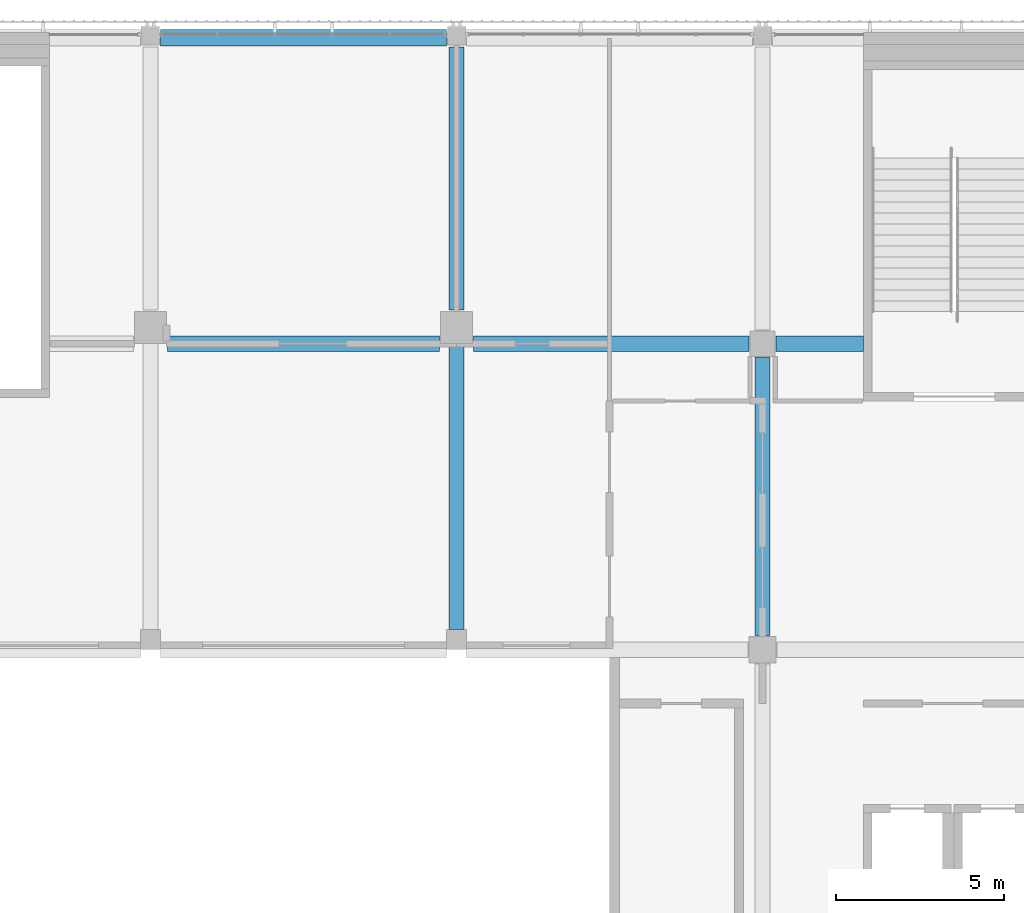
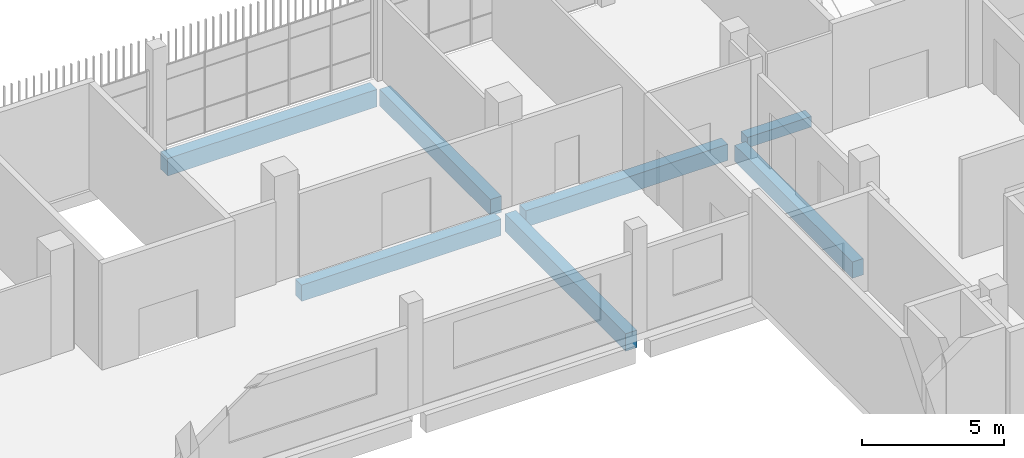
# One storey, part 35 of 104: 7 beams.
"""IFC4 building model written with IfcOpenShell, lengths in metres."""

from ifc_helpers import new_model, si_unit, direction, frame, origin, origin_2d, place, context, subcontext, project, spatial, rectangle, extrude, material, material_profile, profile_set, type_object, element, save


model = new_model("IFC4")

# Units and contexts
model_context = context("Model", 3, precision=1e-05, world=origin(), true_north=direction((0.0, 1.0)))
body_context = subcontext(model_context, "Body", "Model", "MODEL_VIEW")
ifc_project = project(units=[si_unit("LENGTHUNIT", "METRE"), si_unit("AREAUNIT", "SQUARE_METRE"), si_unit("VOLUMEUNIT", "CUBIC_METRE"), si_unit("PLANEANGLEUNIT", "RADIAN"), si_unit("MASSUNIT", "GRAM", prefix="KILO")], contexts=[model_context])

# Site, building, storey
site_placement = place(None, origin())
site = spatial("IfcSite", under=ifc_project, at=site_placement, CompositionType="ELEMENT")
building_placement = place(site_placement, origin())
building = spatial("IfcBuilding", under=site, at=building_placement, Name="Shirokan Park Arena", CompositionType="ELEMENT")
storey_placement = place(building_placement, frame((0.0, 0.0, 10.919921875)))
storey = spatial("IfcBuildingStorey", under=building, at=storey_placement, Name="L02", CompositionType="ELEMENT", Elevation=10.919921875)

# Beams
ifc_material = material(Name="Concrete C35", Category="concrete")
ifc_material_profile_1 = material_profile(ifc_material, rectangle(XDim=0.449951171875, YDim=0.699951171875, at=origin_2d()), Name="450x700")
ifc_profile_set_1 = profile_set([ifc_material_profile_1], Name="Concrete C35")
beam_type_1 = type_object("IfcBeamType", Name="RC girder 450x700", PredefinedType="BEAM", material=ifc_profile_set_1)
beam_1_placement = place(storey_placement, frame((91.5, 100.10009765625, -0.64990234375), z_axis=(1.0, 0.0, 0.0), x_axis=(0.0, 1.0, 0.0)))
element("IfcBeam", 1, at=beam_1_placement, inside=storey, type_object=beam_type_1, Name="Girder 11M-12M L02", PredefinedType="BEAM", context=body_context, shape_type="SweptSolid", body=[
    extrude(rectangle(XDim=0.449951171875, YDim=0.699951171875, at=origin_2d()), origin(), (0.0, 0.0, 1.0), 8.099853515625),
])
beam_2_placement = place(storey_placement, frame((100.60009765625, 100.10009765625, -0.64990234375), z_axis=(1.0, 0.0, 0.0), x_axis=(0.0, 1.0, 0.0)))
element("IfcBeam", 2, at=beam_2_placement, inside=storey, type_object=beam_type_1, Name="Girder 12M-13M L02", PredefinedType="BEAM", context=body_context, shape_type="SweptSolid", body=[
    extrude(rectangle(XDim=0.449951171875, YDim=0.699951171875, at=origin_2d()), origin(), (0.0, 0.0, 1.0), 8.19970703125),
])
beam_3_placement = place(storey_placement, frame((100.10009765625, 101.10009765625, -0.64990234375), z_axis=(0.0, 1.0, 0.0), x_axis=(-1.0, 0.0, 0.0)))
element("IfcBeam", 3, at=beam_3_placement, inside=storey, type_object=beam_type_1, Name="Girder 12M-12N L02", PredefinedType="BEAM", context=body_context, shape_type="SweptSolid", body=[
    extrude(rectangle(XDim=0.449951171875, YDim=0.699951171875, at=origin_2d()), origin(), (0.0, 0.0, 1.0), 7.82470703125),
])
beam_4_placement = place(storey_placement, frame((109.199951171875, 91.425048828125, -0.64990234375), z_axis=(0.0, 1.0, 0.0), x_axis=(-1.0, 0.0, 0.0)))
element("IfcBeam", 4, at=beam_4_placement, inside=storey, type_object=beam_type_1, Name="Girder 13L-13M L02", PredefinedType="BEAM", context=body_context, shape_type="SweptSolid", body=[
    extrude(rectangle(XDim=0.449951171875, YDim=0.699951171875, at=origin_2d()), origin(), (0.0, 0.0, 1.0), 8.27490234375),
])
ifc_material_profile_2 = material_profile(ifc_material, rectangle(XDim=0.449951171875, YDim=0.75, at=origin_2d()), Name="450x750")
ifc_profile_set_2 = profile_set([ifc_material_profile_2], Name="Concrete C35")
beam_type_2 = type_object("IfcBeamType", Name="RC girder 450x750", PredefinedType="BEAM", material=ifc_profile_set_2)
beam_5_placement = place(storey_placement, frame((100.10009765625, 91.60009765625, -0.6748046875), z_axis=(0.0, 1.0, 0.0), x_axis=(-1.0, 0.0, 0.0)))
element("IfcBeam", 5, at=beam_5_placement, inside=storey, type_object=beam_type_2, Name="Girder 12L-12M L02", PredefinedType="BEAM", context=body_context, shape_type="SweptSolid", body=[
    extrude(rectangle(XDim=0.449951171875, YDim=0.75, at=origin_2d()), origin(), (0.0, 0.0, 1.0), 8.499755859375),
])
ifc_material_profile_3 = material_profile(ifc_material, rectangle(XDim=0.5, YDim=0.75, at=origin_2d()), Name="500x750")
ifc_profile_set_3 = profile_set([ifc_material_profile_3], Name="Concrete C35")
beam_type_3 = type_object("IfcBeamType", Name="RC girder 500x750", PredefinedType="BEAM", material=ifc_profile_set_3)
beam_6_placement = place(storey_placement, frame((91.300048828125, 109.199951171875, -0.6748046875), z_axis=(1.0, 0.0, 0.0), x_axis=(0.0, 1.0, 0.0)))
element("IfcBeam", 6, at=beam_6_placement, inside=storey, type_object=beam_type_3, Name="Girder 11N-12N L02", PredefinedType="BEAM", context=body_context, shape_type="SweptSolid", body=[
    extrude(rectangle(XDim=0.5, YDim=0.75, at=origin_2d()), origin(), (0.0, 0.0, 1.0), 8.499755859375),
])
ifc_material_profile_4 = material_profile(ifc_material, rectangle(XDim=0.449951171875, YDim=0.449951171875, at=origin_2d()), Name="450x450")
ifc_profile_set_4 = profile_set([ifc_material_profile_4], Name="Concrete C35")
beam_type_4 = type_object("IfcBeamType", Name="RC trimmer 450x450", PredefinedType="BEAM", material=ifc_profile_set_4)
beam_7_placement = place(storey_placement, frame((109.60009765625, 100.10009765625, -0.52490234375), z_axis=(1.0, 0.0, 0.0), x_axis=(0.0, 1.0, 0.0)))
element("IfcBeam", 7, at=beam_7_placement, inside=storey, type_object=beam_type_4, Name="Girder 13M-14M L02", PredefinedType="BEAM", context=body_context, shape_type="SweptSolid", body=[
    extrude(rectangle(XDim=0.449951171875, YDim=0.449951171875, at=origin_2d()), origin(), (0.0, 0.0, 1.0), 2.599853515625),
])

save(model, "model.ifc")
